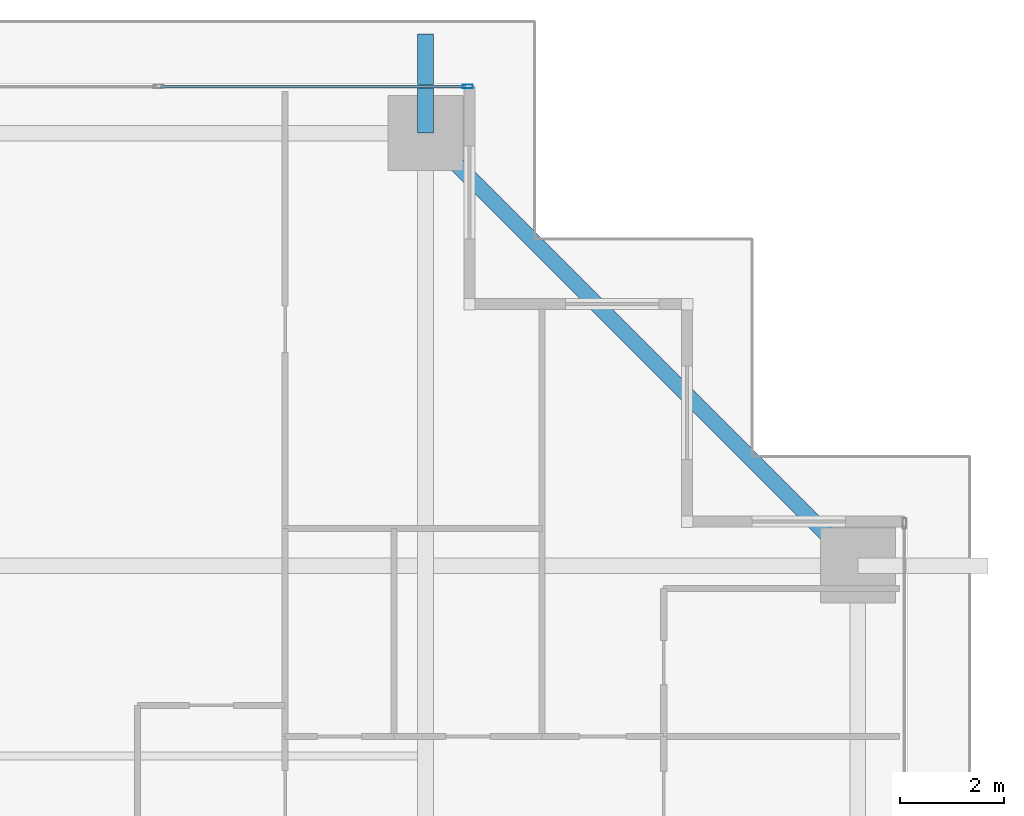
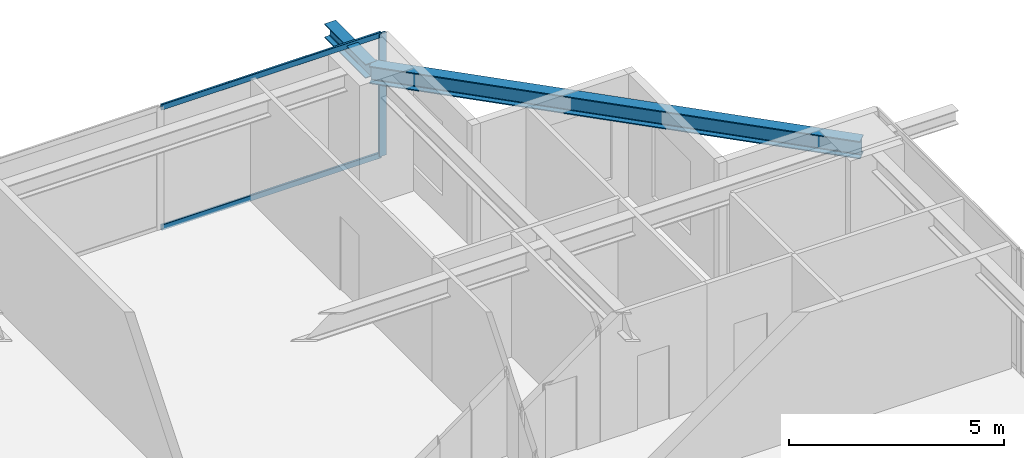
# One storey, part 25 of 40: 3 members, 2 beams, 1 element without a shape of its own.
"""IFC4 building model written with IfcOpenShell, lengths in metres."""

from ifc_helpers import new_model, si_unit, direction, frame, origin, origin_2d, place, context, subcontext, project, spatial, hollow_rectangle, i_section, extrude, source, transform, mapped, material, layer, layer_set, material_profile, profile_set, type_object, element, aggregate, save


model = new_model("IFC4")

# Units and contexts
model_context = context("Model", 3, precision=1e-05, world=origin(), true_north=direction((0.0, 1.0)))
body_context = subcontext(model_context, "Body", "Model", "MODEL_VIEW")
ifc_project = project(units=[si_unit("LENGTHUNIT", "METRE"), si_unit("AREAUNIT", "SQUARE_METRE"), si_unit("VOLUMEUNIT", "CUBIC_METRE"), si_unit("PLANEANGLEUNIT", "RADIAN"), si_unit("MASSUNIT", "GRAM", prefix="KILO")], contexts=[model_context])

# Site, building, storey
site_placement = place(None, origin())
site = spatial("IfcSite", under=ifc_project, at=site_placement, CompositionType="ELEMENT")
building_placement = place(site_placement, origin())
building = spatial("IfcBuilding", under=site, at=building_placement, Name="Serunith Strait Residences", CompositionType="ELEMENT")
storey_placement = place(building_placement, frame((0.0, 0.0, 90.449951171875)))
storey = spatial("IfcBuildingStorey", under=building, at=storey_placement, Name="L22", CompositionType="ELEMENT", Elevation=90.449951171875)

# Beams
ifc_material_1 = material(Name="Steel S355J2", Category="steel")
ifc_material_profile_1 = material_profile(ifc_material_1, i_section(OverallWidth=0.300048828125, OverallDepth=0.5, WebThickness=0.014404296875, FlangeThickness=0.028076171875, FilletRadius=0.027099609375, at=origin_2d()), Name="HEB 500")
ifc_profile_set_1 = profile_set([ifc_material_profile_1], Name="Steel S355J2")
beam_type_1 = type_object("IfcBeamType", Name="BM-HEB500", PredefinedType="BEAM", material=ifc_profile_set_1)
shared_shape_1 = source(origin(), body_context, "Body", "SweptSolid", [
    extrude(i_section(OverallWidth=0.300048828125, OverallDepth=0.5, WebThickness=0.014404296875, FlangeThickness=0.028076171875, FilletRadius=0.027099609375, at=origin_2d()), origin(), (0.0, 0.0, 1.0), 11.80859375),
])
beam_1_placement = place(storey_placement, frame((57.89990234375, 40.949951171875, 3.20703125), z_axis=(-0.707096443746, 0.707117118476, 0.0), x_axis=(-0.707117118476, -0.707096443746, 0.0)))
element("IfcBeam", 1, at=beam_1_placement, inside=storey, type_object=beam_type_1, Name="L22 Perimeter Ring Beam 08", PredefinedType="BEAM", context=body_context, shape_type="MappedRepresentation", body=[
    mapped(shared_shape_1, transform((0.0, 0.0, 0.0), scale=1.0)),
])
ifc_material_profile_2 = material_profile(ifc_material_1, i_section(OverallWidth=0.300048828125, OverallDepth=0.39990234375, WebThickness=0.013427734375, FlangeThickness=0.02392578125, FilletRadius=0.027099609375, at=origin_2d()), Name="HEB 400")
ifc_profile_set_2 = profile_set([ifc_material_profile_2], Name="Steel S355J2")
beam_type_2 = type_object("IfcBeamType", Name="BM-HEB400", PredefinedType="BEAM", material=ifc_profile_set_2)
shared_shape_2 = source(origin(), body_context, "Body", "SweptSolid", [
    extrude(i_section(OverallWidth=0.300048828125, OverallDepth=0.39990234375, WebThickness=0.013427734375, FlangeThickness=0.02392578125, FilletRadius=0.027099609375, at=origin_2d()), origin(), (0.0, 0.0, 1.0), 1.909912109375),
])
beam_2_placement = place(storey_placement, frame((49.550048828125, 49.300048828125, 3.257080078125), z_axis=(0.0, 1.0, 0.0), x_axis=(-1.0, 0.0, 0.0)))
element("IfcBeam", 2, at=beam_2_placement, inside=storey, type_object=beam_type_2, Name="L23 Cantilevered Balcony Rib TC-N4", PredefinedType="BEAM", context=body_context, shape_type="MappedRepresentation", body=[
    mapped(shared_shape_2, transform((0.0, 0.0, 0.0), scale=1.0)),
])

# Curtain wall, members
ifc_material_2 = material(Name="Pale-Champagne Anodised Aluminium", Category="aluminium")
ifc_layer = layer(ifc_material_2, 0.199951171875, Name="Pale-Champagne Anodised Aluminium")
ifc_layer_set = layer_set([ifc_layer], Name="Pale-Champagne Anodised Aluminium")
curtain_wall_type = type_object("IfcCurtainWallType", Name="CW-SYS1", PredefinedType="NOTDEFINED", material=ifc_layer_set)
curtain_wall_placement = place(storey_placement, origin())
curtain_wall = element("IfcCurtainWall", 3, at=curtain_wall_placement, inside=storey, type_object=curtain_wall_type, Name="L22 N Unitised Fritted Curtain Wall", PredefinedType="NOTDEFINED")
ifc_material_profile_3 = material_profile(ifc_material_2, hollow_rectangle(XDim=0.070068359375, YDim=0.199951171875, WallThickness=0.00390625, InnerFilletRadius=0.006103515625, OuterFilletRadius=0.010009765625, at=origin_2d()), Name="ALU 200x70x4")
ifc_profile_set_3 = profile_set([ifc_material_profile_3], Name="Pale-Champagne Anodised Aluminium")
member_type_1 = type_object("IfcMemberType", Name="CW-SYS1-MULL", PredefinedType="MULLION", material=ifc_profile_set_3)
shared_shape_3 = source(origin(), body_context, "Body", "SweptSolid", [
    extrude(hollow_rectangle(XDim=0.070068359375, YDim=0.199951171875, WallThickness=0.00390625, InnerFilletRadius=0.006103515625, OuterFilletRadius=0.010009765625, at=origin_2d()), origin(), (0.0, 0.0, 1.0), 3.47509765625),
])
member_1_placement = place(storey_placement, frame((50.364990234375, 50.199951171875, 0.0), z_axis=(0.0, 0.0, 1.0), x_axis=(0.0, -1.0, 0.0)))
member_1 = element("IfcMember", 4, at=member_1_placement, type_object=member_type_1, Name="CW-1 mullion 1", PredefinedType="MULLION", context=body_context, shape_type="MappedRepresentation", body=[
    mapped(shared_shape_3, transform((0.0, 0.0, 0.0), scale=1.0)),
])
ifc_material_profile_4 = material_profile(ifc_material_2, hollow_rectangle(XDim=0.06005859375, YDim=0.159912109375, WallThickness=0.00341796875, InnerFilletRadius=0.00537109375, OuterFilletRadius=0.0087890625, at=origin_2d()), Name="ALU 160x60x3.5")
ifc_profile_set_4 = profile_set([ifc_material_profile_4], Name="Pale-Champagne Anodised Aluminium")
member_type_2 = type_object("IfcMemberType", Name="CW-SYS1-TRAN", PredefinedType="USERDEFINED", material=ifc_profile_set_4)
shared_shape_4 = source(origin(), body_context, "Body", "SweptSolid", [
    extrude(hollow_rectangle(XDim=0.06005859375, YDim=0.159912109375, WallThickness=0.00341796875, InnerFilletRadius=0.00537109375, OuterFilletRadius=0.0087890625, at=origin_2d()), origin(), (0.0, 0.0, 1.0), 5.89501953125),
])
member_2_placement = place(storey_placement, frame((50.330078125, 50.199951171875, 0.030029296875), z_axis=(-1.0, 0.0, 0.0), x_axis=(0.0, -1.0, 0.0)))
member_2 = element("IfcMember", 5, at=member_2_placement, type_object=member_type_2, Name="CW-1 transom 1.1", ObjectType="TRANSOM", PredefinedType="USERDEFINED", context=body_context, shape_type="MappedRepresentation", body=[
    mapped(shared_shape_4, transform((0.0, 0.0, 0.0), scale=1.0)),
])
member_3_placement = place(storey_placement, frame((50.330078125, 50.199951171875, 3.445068359375), z_axis=(-1.0, 0.0, 0.0), x_axis=(0.0, -1.0, 0.0)))
member_3 = element("IfcMember", 6, at=member_3_placement, type_object=member_type_2, Name="CW-1 transom 1.2", ObjectType="TRANSOM", PredefinedType="USERDEFINED", context=body_context, shape_type="MappedRepresentation", body=[
    mapped(shared_shape_4, transform((0.0, 0.0, 0.0), scale=1.0)),
])
aggregate(curtain_wall, [member_1, member_2, member_3])

save(model, "model.ifc")
